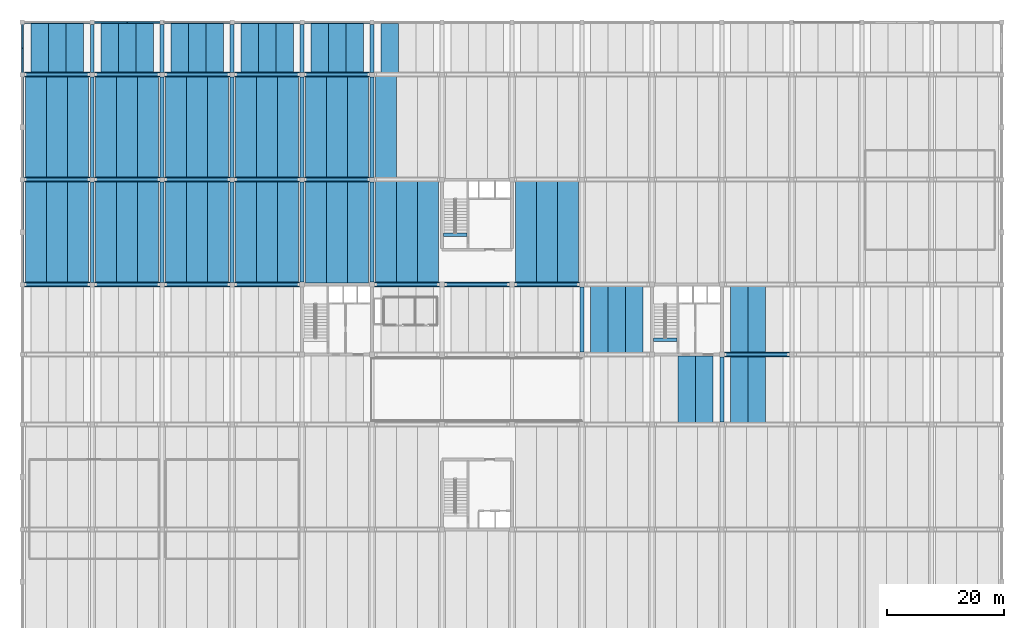
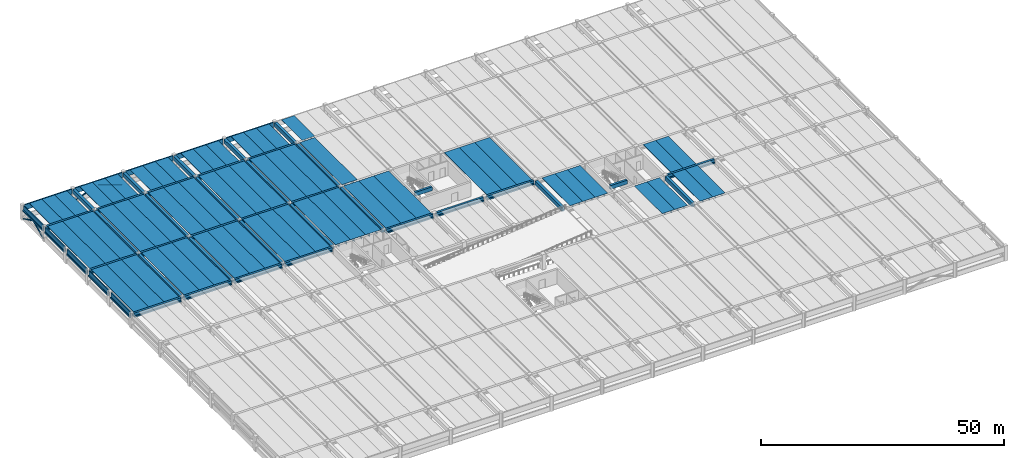
# One storey, part 4 of 21: 109 beams, 4 members.
"""IFC4 building model written with IfcOpenShell, lengths in metres."""

from ifc_helpers import new_model, si_unit, direction, frame, origin, origin_2d, place, context, subcontext, project, spatial, polyline, rectangle, hollow_rectangle, outline, extrude, material, material_profile, profile_set, type_object, element, save


model = new_model("IFC4")

# Units and contexts
model_context = context("Model", 3, precision=1e-05, world=origin(), true_north=direction((0.0, 1.0)))
body_context = subcontext(model_context, "Body", "Model", "MODEL_VIEW")
ifc_project = project(units=[si_unit("LENGTHUNIT", "METRE"), si_unit("AREAUNIT", "SQUARE_METRE"), si_unit("VOLUMEUNIT", "CUBIC_METRE"), si_unit("PLANEANGLEUNIT", "RADIAN"), si_unit("MASSUNIT", "GRAM", prefix="KILO")], contexts=[model_context])

# Site, building, storey
site_placement = place(None, origin())
site = spatial("IfcSite", under=ifc_project, at=site_placement, CompositionType="ELEMENT")
building_placement = place(site_placement, origin())
building = spatial("IfcBuilding", under=site, at=building_placement, Name="Girod Span Mobility Hub", CompositionType="ELEMENT")
storey_placement = place(building_placement, frame((0.0, 0.0, 17.199951171875)))
storey = spatial("IfcBuildingStorey", under=building, at=storey_placement, Name="L04", CompositionType="ELEMENT", Elevation=17.199951171875)

# Beams
ifc_material_1 = material(Name="Concrete C50/60", Category="concrete")
ifc_material_profile_1 = material_profile(ifc_material_1, outline(polyline([(-1.5, 0.300048828125), (-1.5, 0.2099609375), (-0.8349609375, 0.2099609375), (-0.8125, -0.300048828125), (-0.6875, -0.300048828125), (-0.6650390625, 0.2099609375), (0.6650390625, 0.2099609375), (0.6875, -0.300048828125), (0.8125, -0.300048828125), (0.8349609375, 0.2099609375), (1.5, 0.2099609375), (1.5, 0.300048828125), (-1.5, 0.300048828125)])), Name="DT-3000X600")
ifc_profile_set_1 = profile_set([ifc_material_profile_1], Name="Concrete C50/60")
beam_type_1 = type_object("IfcBeamType", Name="BM-DT-3000X600", PredefinedType="JOIST", material=ifc_profile_set_1)
for number, where, z_axis, x_axis, name in (
    (1, (3.0, 105.2470703125, 3.280029296875), (0.0, 1.0, 0.0), (-1.0, 0.0, 0.0), "Double-Tee Deck 1/H-1 L04"),
    (2, (6.0, 105.2470703125, 3.280029296875), (0.0, 1.0, 0.0), (-1.0, 0.0, 0.0), "Double-Tee Deck 1/H-2 L04"),
    (3, (9.0, 105.2470703125, 3.280029296875), (0.0, 1.0, 0.0), (-1.0, 0.0, 0.0), "Double-Tee Deck 1/H-3 L04"),
    (4, (15.0, 105.2470703125, 3.280029296875), (0.0, 1.0, 0.0), (-1.0, 0.0, 0.0), "Double-Tee Deck 2/H-1 L04"),
    (5, (18.0, 105.2470703125, 3.280029296875), (0.0, 1.0, 0.0), (-1.0, 0.0, 0.0), "Double-Tee Deck 2/H-2 L04"),
    (6, (21.0, 105.2470703125, 3.280029296875), (0.0, 1.0, 0.0), (-1.0, 0.0, 0.0), "Double-Tee Deck 2/H-3 L04"),
    (7, (27.0, 105.2470703125, 3.280029296875), (0.0, 1.0, 0.0), (-1.0, 0.0, 0.0), "Double-Tee Deck 3/H-1 L04"),
    (8, (30.0, 105.2470703125, 3.280029296875), (0.0, 1.0, 0.0), (-1.0, 0.0, 0.0), "Double-Tee Deck 3/H-2 L04"),
    (9, (33.0, 105.2470703125, 3.280029296875), (0.0, 1.0, 0.0), (-1.0, 0.0, 0.0), "Double-Tee Deck 3/H-3 L04"),
    (10, (39.0, 105.2470703125, 3.280029296875), (0.0, 1.0, 0.0), (-1.0, 0.0, 0.0), "Double-Tee Deck 4/H-1 L04"),
    (11, (42.0, 105.2470703125, 3.280029296875), (0.0, 1.0, 0.0), (-1.0, 0.0, 0.0), "Double-Tee Deck 4/H-2 L04"),
    (12, (45.0, 105.2470703125, 3.280029296875), (0.0, 1.0, 0.0), (-1.0, 0.0, 0.0), "Double-Tee Deck 4/H-3 L04"),
    (13, (51.0, 105.2470703125, 3.280029296875), (0.0, 1.0, 0.0), (-1.0, 0.0, 0.0), "Double-Tee Deck 5/H-1 L04"),
    (14, (54.0, 105.2470703125, 3.280029296875), (0.0, 1.0, 0.0), (-1.0, 0.0, 0.0), "Double-Tee Deck 5/H-2 L04"),
    (15, (57.0, 105.2470703125, 3.280029296875), (0.0, 1.0, 0.0), (-1.0, 0.0, 0.0), "Double-Tee Deck 5/H-3 L04"),
    (16, (63.0, 105.2470703125, 3.280029296875), (0.0, 1.0, 0.0), (-1.0, 0.0, 0.0), "Double-Tee Deck 6/H-1 L04"),
):
    element("IfcBeam", number, at=place(storey_placement, frame(where, z_axis=z_axis, x_axis=x_axis)), inside=storey, type_object=beam_type_1, Name=name, PredefinedType="JOIST", context=body_context, shape_type="SweptSolid", body=[
        extrude(outline(polyline([(-1.5, 0.300048828125), (-1.5, 0.2099609375), (-0.8349609375, 0.2099609375), (-0.8125, -0.300048828125), (-0.6875, -0.300048828125), (-0.6650390625, 0.2099609375), (0.6650390625, 0.2099609375), (0.6875, -0.300048828125), (0.8125, -0.300048828125), (0.8349609375, 0.2099609375), (1.5, 0.2099609375), (1.5, 0.300048828125), (-1.5, 0.300048828125)])), origin(), (0.0, 0.0, 1.0), 8.531005859375),
    ])
for number, where, z_axis, x_axis, name in (
    (17, (99.0, 57.2470703125, 3.340087890625), (0.0, 1.0, 0.0), (-1.0, 0.0, 0.0), "Double-Tee Deck 9/E-1 L04"),
    (18, (102.0, 57.2470703125, 3.340087890625), (0.0, 1.0, 0.0), (-1.0, 0.0, 0.0), "Double-Tee Deck 9/E-2 L04"),
    (19, (105.0, 57.2470703125, 3.340087890625), (0.0, 1.0, 0.0), (-1.0, 0.0, 0.0), "Double-Tee Deck 9/E-3 L04"),
    (20, (114.0, 45.2470703125, 3.340087890625), (0.0, 1.0, 0.0), (-1.0, 0.0, 0.0), "Double-Tee Deck 10/D-2 L04"),
    (21, (117.0, 45.2470703125, 3.340087890625), (0.0, 1.0, 0.0), (-1.0, 0.0, 0.0), "Double-Tee Deck 10/D-3 L04"),
    (22, (123.0, 45.2470703125, 3.340087890625), (0.0, 1.0, 0.0), (-1.0, 0.0, 0.0), "Double-Tee Deck 11/D-1 L04"),
    (23, (126.0, 45.2470703125, 3.340087890625), (0.0, 1.0, 0.0), (-1.0, 0.0, 0.0), "Double-Tee Deck 11/D-2 L04"),
    (24, (123.0, 57.2470703125, 3.340087890625), (0.0, 1.0, 0.0), (-1.0, 0.0, 0.0), "Double-Tee Deck 11/E-1 L04"),
    (25, (126.0, 57.2470703125, 3.340087890625), (0.0, 1.0, 0.0), (-1.0, 0.0, 0.0), "Double-Tee Deck 11/E-2 L04"),
):
    element("IfcBeam", number, at=place(storey_placement, frame(where, z_axis=z_axis, x_axis=x_axis)), inside=storey, type_object=beam_type_1, Name=name, PredefinedType="JOIST", context=body_context, shape_type="SweptSolid", body=[
        extrude(outline(polyline([(-1.5, 0.300048828125), (-1.5, 0.2099609375), (-0.8349609375, 0.2099609375), (-0.8125, -0.300048828125), (-0.6875, -0.300048828125), (-0.6650390625, 0.2099609375), (0.6650390625, 0.2099609375), (0.6875, -0.300048828125), (0.8125, -0.300048828125), (0.8349609375, 0.2099609375), (1.5, 0.2099609375), (1.5, 0.300048828125), (-1.5, 0.300048828125)])), origin(), (0.0, 0.0, 1.0), 11.505859375),
    ])
ifc_material_2 = material(Name="Concrete C50/60", Category="concrete")
ifc_material_profile_2 = material_profile(ifc_material_2, outline(polyline([(-1.800048828125, 0.425048828125), (-1.800048828125, 0.324951171875), (-1.0, 0.324951171875), (-0.969970703125, -0.425048828125), (-0.830078125, -0.425048828125), (-0.800048828125, 0.324951171875), (0.800048828125, 0.324951171875), (0.830078125, -0.425048828125), (0.969970703125, -0.425048828125), (1.0, 0.324951171875), (1.800048828125, 0.324951171875), (1.800048828125, 0.425048828125), (-1.800048828125, 0.425048828125)])), Name="DT-3600X850")
ifc_profile_set_2 = profile_set([ifc_material_profile_2], Name="Concrete C50/60")
beam_type_2 = type_object("IfcBeamType", Name="BM-DT-3600X850", PredefinedType="JOIST", material=ifc_profile_set_2)
for number, where, z_axis, x_axis, name in (
    (26, (2.39990234375, 69.2470703125, 3.155029296875), (0.0, 1.0, 0.0), (-1.0, 0.0, 0.0), "Double-Tee Deck 1/F-1 L04"),
    (27, (6.0, 69.2470703125, 3.155029296875), (0.0, 1.0, 0.0), (-1.0, 0.0, 0.0), "Double-Tee Deck 1/F-2 L04"),
    (28, (9.60009765625, 69.2470703125, 3.155029296875), (0.0, 1.0, 0.0), (-1.0, 0.0, 0.0), "Double-Tee Deck 1/F-3 L04"),
    (29, (2.39990234375, 87.2470703125, 3.155029296875), (0.0, 1.0, 0.0), (-1.0, 0.0, 0.0), "Double-Tee Deck 1/G-1 L04"),
    (30, (6.0, 87.2470703125, 3.155029296875), (0.0, 1.0, 0.0), (-1.0, 0.0, 0.0), "Double-Tee Deck 1/G-2 L04"),
    (31, (9.60009765625, 87.2470703125, 3.155029296875), (0.0, 1.0, 0.0), (-1.0, 0.0, 0.0), "Double-Tee Deck 1/G-3 L04"),
    (32, (14.39990234375, 69.2470703125, 3.215087890625), (0.0, 1.0, 0.0), (-1.0, 0.0, 0.0), "Double-Tee Deck 2/F-1 L04"),
    (33, (18.0, 69.2470703125, 3.215087890625), (0.0, 1.0, 0.0), (-1.0, 0.0, 0.0), "Double-Tee Deck 2/F-2 L04"),
    (34, (21.60009765625, 69.2470703125, 3.215087890625), (0.0, 1.0, 0.0), (-1.0, 0.0, 0.0), "Double-Tee Deck 2/F-3 L04"),
    (35, (14.39990234375, 87.2470703125, 3.215087890625), (0.0, 1.0, 0.0), (-1.0, 0.0, 0.0), "Double-Tee Deck 2/G-1 L04"),
    (36, (18.0, 87.2470703125, 3.215087890625), (0.0, 1.0, 0.0), (-1.0, 0.0, 0.0), "Double-Tee Deck 2/G-2 L04"),
    (37, (21.60009765625, 87.2470703125, 3.215087890625), (0.0, 1.0, 0.0), (-1.0, 0.0, 0.0), "Double-Tee Deck 2/G-3 L04"),
    (38, (26.39990234375, 69.2470703125, 3.215087890625), (0.0, 1.0, 0.0), (-1.0, 0.0, 0.0), "Double-Tee Deck 3/F-1 L04"),
    (39, (30.0, 69.2470703125, 3.215087890625), (0.0, 1.0, 0.0), (-1.0, 0.0, 0.0), "Double-Tee Deck 3/F-2 L04"),
    (40, (33.60009765625, 69.2470703125, 3.215087890625), (0.0, 1.0, 0.0), (-1.0, 0.0, 0.0), "Double-Tee Deck 3/F-3 L04"),
    (41, (26.39990234375, 87.2470703125, 3.215087890625), (0.0, 1.0, 0.0), (-1.0, 0.0, 0.0), "Double-Tee Deck 3/G-1 L04"),
    (42, (30.0, 87.2470703125, 3.215087890625), (0.0, 1.0, 0.0), (-1.0, 0.0, 0.0), "Double-Tee Deck 3/G-2 L04"),
    (43, (33.60009765625, 87.2470703125, 3.215087890625), (0.0, 1.0, 0.0), (-1.0, 0.0, 0.0), "Double-Tee Deck 3/G-3 L04"),
    (44, (38.39990234375, 69.2470703125, 3.215087890625), (0.0, 1.0, 0.0), (-1.0, 0.0, 0.0), "Double-Tee Deck 4/F-1 L04"),
    (45, (42.0, 69.2470703125, 3.215087890625), (0.0, 1.0, 0.0), (-1.0, 0.0, 0.0), "Double-Tee Deck 4/F-2 L04"),
    (46, (45.60009765625, 69.2470703125, 3.215087890625), (0.0, 1.0, 0.0), (-1.0, 0.0, 0.0), "Double-Tee Deck 4/F-3 L04"),
    (47, (38.39990234375, 87.2470703125, 3.215087890625), (0.0, 1.0, 0.0), (-1.0, 0.0, 0.0), "Double-Tee Deck 4/G-1 L04"),
    (48, (42.0, 87.2470703125, 3.215087890625), (0.0, 1.0, 0.0), (-1.0, 0.0, 0.0), "Double-Tee Deck 4/G-2 L04"),
    (49, (45.60009765625, 87.2470703125, 3.215087890625), (0.0, 1.0, 0.0), (-1.0, 0.0, 0.0), "Double-Tee Deck 4/G-3 L04"),
    (50, (50.39990234375, 69.2470703125, 3.215087890625), (0.0, 1.0, 0.0), (-1.0, 0.0, 0.0), "Double-Tee Deck 5/F-1 L04"),
    (51, (54.0, 69.2470703125, 3.215087890625), (0.0, 1.0, 0.0), (-1.0, 0.0, 0.0), "Double-Tee Deck 5/F-2 L04"),
    (52, (57.60009765625, 69.2470703125, 3.215087890625), (0.0, 1.0, 0.0), (-1.0, 0.0, 0.0), "Double-Tee Deck 5/F-3 L04"),
    (53, (50.39990234375, 87.2470703125, 3.215087890625), (0.0, 1.0, 0.0), (-1.0, 0.0, 0.0), "Double-Tee Deck 5/G-1 L04"),
    (54, (54.0, 87.2470703125, 3.215087890625), (0.0, 1.0, 0.0), (-1.0, 0.0, 0.0), "Double-Tee Deck 5/G-2 L04"),
    (55, (57.60009765625, 87.2470703125, 3.215087890625), (0.0, 1.0, 0.0), (-1.0, 0.0, 0.0), "Double-Tee Deck 5/G-3 L04"),
    (56, (62.39990234375, 69.2470703125, 3.215087890625), (0.0, 1.0, 0.0), (-1.0, 0.0, 0.0), "Double-Tee Deck 6/F-1 L04"),
    (57, (66.0, 69.2470703125, 3.215087890625), (0.0, 1.0, 0.0), (-1.0, 0.0, 0.0), "Double-Tee Deck 6/F-2 L04"),
    (58, (69.60009765625, 69.2470703125, 3.215087890625), (0.0, 1.0, 0.0), (-1.0, 0.0, 0.0), "Double-Tee Deck 6/F-3 L04"),
    (59, (62.39990234375, 87.2470703125, 3.215087890625), (0.0, 1.0, 0.0), (-1.0, 0.0, 0.0), "Double-Tee Deck 6/G-1 L04"),
    (60, (86.39990234375, 69.2470703125, 3.215087890625), (0.0, 1.0, 0.0), (-1.0, 0.0, 0.0), "Double-Tee Deck 8/F-1 L04"),
    (61, (90.0, 69.2470703125, 3.215087890625), (0.0, 1.0, 0.0), (-1.0, 0.0, 0.0), "Double-Tee Deck 8/F-2 L04"),
    (62, (93.60009765625, 69.2470703125, 3.215087890625), (0.0, 1.0, 0.0), (-1.0, 0.0, 0.0), "Double-Tee Deck 8/F-3 L04"),
):
    element("IfcBeam", number, at=place(storey_placement, frame(where, z_axis=z_axis, x_axis=x_axis)), inside=storey, type_object=beam_type_2, Name=name, PredefinedType="JOIST", context=body_context, shape_type="SweptSolid", body=[
        extrude(outline(polyline([(-1.800048828125, 0.425048828125), (-1.800048828125, 0.324951171875), (-1.0, 0.324951171875), (-0.969970703125, -0.425048828125), (-0.830078125, -0.425048828125), (-0.800048828125, 0.324951171875), (0.800048828125, 0.324951171875), (0.830078125, -0.425048828125), (0.969970703125, -0.425048828125), (1.0, 0.324951171875), (1.800048828125, 0.324951171875), (1.800048828125, 0.425048828125), (-1.800048828125, 0.425048828125)])), origin(), (0.0, 0.0, 1.0), 17.505859375),
    ])
ifc_material_3 = material(Name="Concrete C50/60", Category="concrete")
ifc_material_profile_3 = material_profile(ifc_material_3, outline(polyline([(-0.425048828125, -0.47509765625), (0.425048828125, -0.47509765625), (0.425048828125, -0.155029296875), (0.25, -0.155029296875), (0.25, 0.47509765625), (-0.25, 0.47509765625), (-0.25, -0.155029296875), (-0.425048828125, -0.155029296875), (-0.425048828125, -0.47509765625)])), Name="IT-850X950")
ifc_profile_set_3 = profile_set([ifc_material_profile_3], Name="Concrete C50/60")
beam_type_3 = type_object("IfcBeamType", Name="BM-IT-850X950", PredefinedType="T_BEAM", material=ifc_profile_set_3)
beam_1_placement = place(storey_placement, frame((120.422119140625, 57.0, 3.1650390625), z_axis=(1.0, 0.0, 0.0), x_axis=(0.0, 1.0, 0.0)))
element("IfcBeam", 63, at=beam_1_placement, inside=storey, type_object=beam_type_3, Name="Girder 11-12/E L04", PredefinedType="T_BEAM", context=body_context, shape_type="SweptSolid", body=[
    extrude(outline(polyline([(-0.425048828125, -0.47509765625), (0.425048828125, -0.47509765625), (0.425048828125, -0.155029296875), (0.25, -0.155029296875), (0.25, 0.47509765625), (-0.25, 0.47509765625), (-0.25, -0.155029296875), (-0.425048828125, -0.155029296875), (-0.425048828125, -0.47509765625)])), origin(), (0.0, 0.0, 1.0), 11.180908203125),
])
beam_2_placement = place(storey_placement, frame((0.3720703125, 69.0, 3.10498046875), z_axis=(1.0, 0.0, 0.0), x_axis=(0.0, 1.0, 0.0)))
element("IfcBeam", 64, at=beam_2_placement, inside=storey, type_object=beam_type_3, Name="Girder 1-2/F L04", PredefinedType="T_BEAM", context=body_context, shape_type="SweptSolid", body=[
    extrude(outline(polyline([(-0.425048828125, -0.47509765625), (0.425048828125, -0.47509765625), (0.425048828125, -0.155029296875), (0.25, -0.155029296875), (0.25, 0.47509765625), (-0.25, 0.47509765625), (-0.25, -0.155029296875), (-0.425048828125, -0.155029296875), (-0.425048828125, -0.47509765625)])), origin(), (0.0, 0.0, 1.0), 11.23095703125),
])
for number, where, z_axis, x_axis, name in (
    (65, (12.39697265625, 69.0, 3.1650390625), (1.0, 0.0, 0.0), (0.0, 1.0, 0.0), "Girder 2-3/F L04"),
    (66, (24.39697265625, 69.0, 3.1650390625), (1.0, 0.0, 0.0), (0.0, 1.0, 0.0), "Girder 3-4/F L04"),
):
    element("IfcBeam", number, at=place(storey_placement, frame(where, z_axis=z_axis, x_axis=x_axis)), inside=storey, type_object=beam_type_3, Name=name, PredefinedType="T_BEAM", context=body_context, shape_type="SweptSolid", body=[
        extrude(outline(polyline([(-0.425048828125, -0.47509765625), (0.425048828125, -0.47509765625), (0.425048828125, -0.155029296875), (0.25, -0.155029296875), (0.25, 0.47509765625), (-0.25, 0.47509765625), (-0.25, -0.155029296875), (-0.425048828125, -0.155029296875), (-0.425048828125, -0.47509765625)])), origin(), (0.0, 0.0, 1.0), 11.2060546875),
    ])
beam_3_placement = place(storey_placement, frame((36.39697265625, 69.0, 3.1650390625), z_axis=(1.0, 0.0, 0.0), x_axis=(0.0, 1.0, 0.0)))
element("IfcBeam", 67, at=beam_3_placement, inside=storey, type_object=beam_type_3, Name="Girder 4-5/F L04", PredefinedType="T_BEAM", context=body_context, shape_type="SweptSolid", body=[
    extrude(outline(polyline([(-0.425048828125, -0.47509765625), (0.425048828125, -0.47509765625), (0.425048828125, -0.155029296875), (0.25, -0.155029296875), (0.25, 0.47509765625), (-0.25, 0.47509765625), (-0.25, -0.155029296875), (-0.425048828125, -0.155029296875), (-0.425048828125, -0.47509765625)])), origin(), (0.0, 0.0, 1.0), 11.180908203125),
])
for number, where, z_axis, x_axis, name in (
    (68, (60.422119140625, 69.0, 3.1650390625), (1.0, 0.0, 0.0), (0.0, 1.0, 0.0), "Girder 6-7/F L04"),
    (69, (72.422119140625, 69.0, 3.1650390625), (1.0, 0.0, 0.0), (0.0, 1.0, 0.0), "Girder 7-8/F L04"),
    (70, (84.422119140625, 69.0, 3.1650390625), (1.0, 0.0, 0.0), (0.0, 1.0, 0.0), "Girder 8-9/F L04"),
):
    element("IfcBeam", number, at=place(storey_placement, frame(where, z_axis=z_axis, x_axis=x_axis)), inside=storey, type_object=beam_type_3, Name=name, PredefinedType="T_BEAM", context=body_context, shape_type="SweptSolid", body=[
        extrude(outline(polyline([(-0.425048828125, -0.47509765625), (0.425048828125, -0.47509765625), (0.425048828125, -0.155029296875), (0.25, -0.155029296875), (0.25, 0.47509765625), (-0.25, 0.47509765625), (-0.25, -0.155029296875), (-0.425048828125, -0.155029296875), (-0.425048828125, -0.47509765625)])), origin(), (0.0, 0.0, 1.0), 11.15576171875),
    ])
beam_4_placement = place(storey_placement, frame((0.3720703125, 87.0, 3.10498046875), z_axis=(1.0, 0.0, 0.0), x_axis=(0.0, 1.0, 0.0)))
element("IfcBeam", 71, at=beam_4_placement, inside=storey, type_object=beam_type_3, Name="Girder 1-2/G L04", PredefinedType="T_BEAM", context=body_context, shape_type="SweptSolid", body=[
    extrude(outline(polyline([(-0.425048828125, -0.47509765625), (0.425048828125, -0.47509765625), (0.425048828125, -0.155029296875), (0.25, -0.155029296875), (0.25, 0.47509765625), (-0.25, 0.47509765625), (-0.25, -0.155029296875), (-0.425048828125, -0.155029296875), (-0.425048828125, -0.47509765625)])), origin(), (0.0, 0.0, 1.0), 11.23095703125),
])
for number, where, z_axis, x_axis, name in (
    (72, (12.39697265625, 87.0, 3.1650390625), (1.0, 0.0, 0.0), (0.0, 1.0, 0.0), "Girder 2-3/G L04"),
    (73, (24.39697265625, 87.0, 3.1650390625), (1.0, 0.0, 0.0), (0.0, 1.0, 0.0), "Girder 3-4/G L04"),
    (74, (36.39697265625, 87.0, 3.1650390625), (1.0, 0.0, 0.0), (0.0, 1.0, 0.0), "Girder 4-5/G L04"),
    (75, (48.39697265625, 87.0, 3.1650390625), (1.0, 0.0, 0.0), (0.0, 1.0, 0.0), "Girder 5-6/G L04"),
):
    element("IfcBeam", number, at=place(storey_placement, frame(where, z_axis=z_axis, x_axis=x_axis)), inside=storey, type_object=beam_type_3, Name=name, PredefinedType="T_BEAM", context=body_context, shape_type="SweptSolid", body=[
        extrude(outline(polyline([(-0.425048828125, -0.47509765625), (0.425048828125, -0.47509765625), (0.425048828125, -0.155029296875), (0.25, -0.155029296875), (0.25, 0.47509765625), (-0.25, 0.47509765625), (-0.25, -0.155029296875), (-0.425048828125, -0.155029296875), (-0.425048828125, -0.47509765625)])), origin(), (0.0, 0.0, 1.0), 11.2060546875),
    ])
beam_5_placement = place(storey_placement, frame((0.3720703125, 105.0, 3.10498046875), z_axis=(1.0, 0.0, 0.0), x_axis=(0.0, 1.0, 0.0)))
element("IfcBeam", 76, at=beam_5_placement, inside=storey, type_object=beam_type_3, Name="Girder 1-2/H L04", PredefinedType="T_BEAM", context=body_context, shape_type="SweptSolid", body=[
    extrude(outline(polyline([(-0.425048828125, -0.47509765625), (0.425048828125, -0.47509765625), (0.425048828125, -0.155029296875), (0.25, -0.155029296875), (0.25, 0.47509765625), (-0.25, 0.47509765625), (-0.25, -0.155029296875), (-0.425048828125, -0.155029296875), (-0.425048828125, -0.47509765625)])), origin(), (0.0, 0.0, 1.0), 11.23095703125),
])
for number, where, z_axis, x_axis, name in (
    (77, (12.39697265625, 105.0, 3.1650390625), (1.0, 0.0, 0.0), (0.0, 1.0, 0.0), "Girder 2-3/H L04"),
    (78, (24.39697265625, 105.0, 3.1650390625), (1.0, 0.0, 0.0), (0.0, 1.0, 0.0), "Girder 3-4/H L04"),
    (79, (36.39697265625, 105.0, 3.1650390625), (1.0, 0.0, 0.0), (0.0, 1.0, 0.0), "Girder 4-5/H L04"),
    (80, (48.39697265625, 105.0, 3.1650390625), (1.0, 0.0, 0.0), (0.0, 1.0, 0.0), "Girder 5-6/H L04"),
):
    element("IfcBeam", number, at=place(storey_placement, frame(where, z_axis=z_axis, x_axis=x_axis)), inside=storey, type_object=beam_type_3, Name=name, PredefinedType="T_BEAM", context=body_context, shape_type="SweptSolid", body=[
        extrude(outline(polyline([(-0.425048828125, -0.47509765625), (0.425048828125, -0.47509765625), (0.425048828125, -0.155029296875), (0.25, -0.155029296875), (0.25, 0.47509765625), (-0.25, 0.47509765625), (-0.25, -0.155029296875), (-0.425048828125, -0.155029296875), (-0.425048828125, -0.47509765625)])), origin(), (0.0, 0.0, 1.0), 11.2060546875),
    ])
ifc_material_4 = material(Name="Concrete C40/50", Category="concrete")
ifc_material_profile_4 = material_profile(ifc_material_4, rectangle(XDim=0.550048828125, YDim=0.949951171875, at=origin_2d()), Name="RK-550X950")
ifc_profile_set_4 = profile_set([ifc_material_profile_4], Name="Concrete C40/50")
beam_type_4 = type_object("IfcBeamType", Name="BM-RK-550X950", PredefinedType="BEAM", material=ifc_profile_set_4)
beam_6_placement = place(storey_placement, frame((108.2470703125, 59.550048828125, 3.1650390625), z_axis=(1.0, 0.0, 0.0), x_axis=(0.0, 1.0, 0.0)))
element("IfcBeam", 81, at=beam_6_placement, inside=storey, type_object=beam_type_4, Name="Stair ST-2 Landing Header Beam L04", PredefinedType="BEAM", context=body_context, shape_type="SweptSolid", body=[
    extrude(rectangle(XDim=0.550048828125, YDim=0.949951171875, at=origin_2d()), origin(), (0.0, 0.0, 1.0), 4.055908203125),
])
beam_7_placement = place(storey_placement, frame((72.221923828125, 77.550048828125, 3.1650390625), z_axis=(1.0, 0.0, 0.0), x_axis=(0.0, 1.0, 0.0)))
element("IfcBeam", 82, at=beam_7_placement, inside=storey, type_object=beam_type_4, Name="Stair ST-4 Landing Header Beam L04", PredefinedType="BEAM", context=body_context, shape_type="SweptSolid", body=[
    extrude(rectangle(XDim=0.550048828125, YDim=0.949951171875, at=origin_2d()), origin(), (0.0, 0.0, 1.0), 4.0810546875),
])
ifc_material_5 = material(Name="Concrete C40/50", Category="concrete")
ifc_material_profile_5 = material_profile(ifc_material_5, outline(polyline([(-0.22509765625, -0.675048828125), (0.22509765625, -0.675048828125), (0.22509765625, -0.324951171875), (0.02490234375, -0.324951171875), (0.02490234375, 0.675048828125), (-0.22509765625, 0.675048828125), (-0.22509765625, -0.675048828125)])), Name="SP-450X1350")
ifc_profile_set_5 = profile_set([ifc_material_profile_5], Name="Concrete C40/50")
beam_type_5 = type_object("IfcBeamType", Name="BM-SP-450X1350", PredefinedType="SPANDREL", material=ifc_profile_set_5)
for number, where, z_axis, x_axis, name in (
    (83, (0.3720703125, 114.0, 2.905029296875), (1.0, 0.0, 0.0), (0.0, 1.0, 0.0), "Girder 1-2/J L04"),
    (84, (12.3720703125, 114.0, 2.905029296875), (1.0, 0.0, 0.0), (0.0, 1.0, 0.0), "Girder 2-3/J L04"),
    (85, (24.3720703125, 114.0, 2.905029296875), (1.0, 0.0, 0.0), (0.0, 1.0, 0.0), "Girder 3-4/J L04"),
    (86, (36.3720703125, 114.0, 2.905029296875), (1.0, 0.0, 0.0), (0.0, 1.0, 0.0), "Girder 4-5/J L04"),
    (87, (48.3720703125, 114.0, 2.905029296875), (1.0, 0.0, 0.0), (0.0, 1.0, 0.0), "Girder 5-6/J L04"),
):
    element("IfcBeam", number, at=place(storey_placement, frame(where, z_axis=z_axis, x_axis=x_axis)), inside=storey, type_object=beam_type_5, Name=name, PredefinedType="SPANDREL", context=body_context, shape_type="SweptSolid", body=[
        extrude(outline(polyline([(-0.22509765625, -0.675048828125), (0.22509765625, -0.675048828125), (0.22509765625, -0.324951171875), (0.02490234375, -0.324951171875), (0.02490234375, 0.675048828125), (-0.22509765625, 0.675048828125), (-0.22509765625, -0.675048828125)])), origin(), (0.0, 0.0, 1.0), 11.255859375),
    ])
for number, where, z_axis, x_axis, name in (
    (88, (0.0, 69.3720703125, 2.905029296875), (0.0, 1.0, 0.0), (-1.0, 0.0, 0.0), "Perimeter Spandrel 1/F-S L04"),
    (89, (0.0, 78.471923828125, 2.905029296875), (0.0, 1.0, 0.0), (-1.0, 0.0, 0.0), "Perimeter Spandrel 1/F-N L04"),
    (90, (0.0, 87.3720703125, 2.905029296875), (0.0, 1.0, 0.0), (-1.0, 0.0, 0.0), "Perimeter Spandrel 1/G-S L04"),
    (91, (0.0, 96.471923828125, 2.905029296875), (0.0, 1.0, 0.0), (-1.0, 0.0, 0.0), "Perimeter Spandrel 1/G-N L04"),
):
    element("IfcBeam", number, at=place(storey_placement, frame(where, z_axis=z_axis, x_axis=x_axis)), inside=storey, type_object=beam_type_5, Name=name, PredefinedType="SPANDREL", context=body_context, shape_type="SweptSolid", body=[
        extrude(outline(polyline([(-0.22509765625, -0.675048828125), (0.22509765625, -0.675048828125), (0.22509765625, -0.324951171875), (0.02490234375, -0.324951171875), (0.02490234375, 0.675048828125), (-0.22509765625, 0.675048828125), (-0.22509765625, -0.675048828125)])), origin(), (0.0, 0.0, 1.0), 8.156005859375),
    ])
beam_8_placement = place(storey_placement, frame((0.0, 105.3720703125, 2.905029296875), z_axis=(0.0, 1.0, 0.0), x_axis=(-1.0, 0.0, 0.0)))
element("IfcBeam", 92, at=beam_8_placement, inside=storey, type_object=beam_type_5, Name="Tie Girder 1/H-J L04", PredefinedType="SPANDREL", context=body_context, shape_type="SweptSolid", body=[
    extrude(outline(polyline([(-0.22509765625, -0.675048828125), (0.22509765625, -0.675048828125), (0.22509765625, -0.324951171875), (0.02490234375, -0.324951171875), (0.02490234375, 0.675048828125), (-0.22509765625, 0.675048828125), (-0.22509765625, -0.675048828125)])), origin(), (0.0, 0.0, 1.0), 8.255859375),
])
ifc_material_6 = material(Name="Concrete C40/50", Category="concrete")
ifc_material_profile_6 = material_profile(ifc_material_6, rectangle(XDim=0.64990234375, YDim=1.0, at=origin_2d()), Name="TG-650X1000")
ifc_profile_set_6 = profile_set([ifc_material_profile_6], Name="Concrete C40/50")
beam_type_6 = type_object("IfcBeamType", Name="BM-TG-650X1000", PredefinedType="T_BEAM", material=ifc_profile_set_6)
for number, where, z_axis, x_axis, name in (
    (93, (12.0, 69.39697265625, 3.14013671875), (0.0, 1.0, 0.0), (-1.0, 0.0, 0.0), "Tie Girder 2/F-G L04"),
    (94, (12.0, 87.39697265625, 3.14013671875), (0.0, 1.0, 0.0), (-1.0, 0.0, 0.0), "Tie Girder 2/G-H L04"),
):
    element("IfcBeam", number, at=place(storey_placement, frame(where, z_axis=z_axis, x_axis=x_axis)), inside=storey, type_object=beam_type_6, Name=name, PredefinedType="T_BEAM", context=body_context, shape_type="SweptSolid", body=[
        extrude(rectangle(XDim=0.64990234375, YDim=1.0, at=origin_2d()), origin(), (0.0, 0.0, 1.0), 17.2060546875),
    ])
beam_9_placement = place(storey_placement, frame((12.0, 105.39697265625, 3.080078125), z_axis=(0.0, 1.0, 0.0), x_axis=(-1.0, 0.0, 0.0)))
element("IfcBeam", 95, at=beam_9_placement, inside=storey, type_object=beam_type_6, Name="Tie Girder 2/H-J L04", PredefinedType="T_BEAM", context=body_context, shape_type="SweptSolid", body=[
    extrude(rectangle(XDim=0.64990234375, YDim=1.0, at=origin_2d()), origin(), (0.0, 0.0, 1.0), 8.23095703125),
])
for number, where, z_axis, x_axis, name in (
    (96, (24.0, 69.39697265625, 3.14013671875), (0.0, 1.0, 0.0), (-1.0, 0.0, 0.0), "Tie Girder 3/F-G L04"),
    (97, (24.0, 87.39697265625, 3.14013671875), (0.0, 1.0, 0.0), (-1.0, 0.0, 0.0), "Tie Girder 3/G-H L04"),
):
    element("IfcBeam", number, at=place(storey_placement, frame(where, z_axis=z_axis, x_axis=x_axis)), inside=storey, type_object=beam_type_6, Name=name, PredefinedType="T_BEAM", context=body_context, shape_type="SweptSolid", body=[
        extrude(rectangle(XDim=0.64990234375, YDim=1.0, at=origin_2d()), origin(), (0.0, 0.0, 1.0), 17.2060546875),
    ])
beam_10_placement = place(storey_placement, frame((24.0, 105.39697265625, 3.080078125), z_axis=(0.0, 1.0, 0.0), x_axis=(-1.0, 0.0, 0.0)))
element("IfcBeam", 98, at=beam_10_placement, inside=storey, type_object=beam_type_6, Name="Tie Girder 3/H-J L04", PredefinedType="T_BEAM", context=body_context, shape_type="SweptSolid", body=[
    extrude(rectangle(XDim=0.64990234375, YDim=1.0, at=origin_2d()), origin(), (0.0, 0.0, 1.0), 8.23095703125),
])
for number, where, z_axis, x_axis, name in (
    (99, (36.0, 69.39697265625, 3.14013671875), (0.0, 1.0, 0.0), (-1.0, 0.0, 0.0), "Tie Girder 4/F-G L04"),
    (100, (36.0, 87.39697265625, 3.14013671875), (0.0, 1.0, 0.0), (-1.0, 0.0, 0.0), "Tie Girder 4/G-H L04"),
):
    element("IfcBeam", number, at=place(storey_placement, frame(where, z_axis=z_axis, x_axis=x_axis)), inside=storey, type_object=beam_type_6, Name=name, PredefinedType="T_BEAM", context=body_context, shape_type="SweptSolid", body=[
        extrude(rectangle(XDim=0.64990234375, YDim=1.0, at=origin_2d()), origin(), (0.0, 0.0, 1.0), 17.2060546875),
    ])
beam_11_placement = place(storey_placement, frame((36.0, 105.39697265625, 3.080078125), z_axis=(0.0, 1.0, 0.0), x_axis=(-1.0, 0.0, 0.0)))
element("IfcBeam", 101, at=beam_11_placement, inside=storey, type_object=beam_type_6, Name="Tie Girder 4/H-J L04", PredefinedType="T_BEAM", context=body_context, shape_type="SweptSolid", body=[
    extrude(rectangle(XDim=0.64990234375, YDim=1.0, at=origin_2d()), origin(), (0.0, 0.0, 1.0), 8.23095703125),
])
beam_12_placement = place(storey_placement, frame((48.0, 69.422119140625, 3.14013671875), z_axis=(0.0, 1.0, 0.0), x_axis=(-1.0, 0.0, 0.0)))
element("IfcBeam", 102, at=beam_12_placement, inside=storey, type_object=beam_type_6, Name="Tie Girder 5/F-G L04", PredefinedType="T_BEAM", context=body_context, shape_type="SweptSolid", body=[
    extrude(rectangle(XDim=0.64990234375, YDim=1.0, at=origin_2d()), origin(), (0.0, 0.0, 1.0), 17.180908203125),
])
beam_13_placement = place(storey_placement, frame((48.0, 87.39697265625, 3.14013671875), z_axis=(0.0, 1.0, 0.0), x_axis=(-1.0, 0.0, 0.0)))
element("IfcBeam", 103, at=beam_13_placement, inside=storey, type_object=beam_type_6, Name="Tie Girder 5/G-H L04", PredefinedType="T_BEAM", context=body_context, shape_type="SweptSolid", body=[
    extrude(rectangle(XDim=0.64990234375, YDim=1.0, at=origin_2d()), origin(), (0.0, 0.0, 1.0), 17.2060546875),
])
beam_14_placement = place(storey_placement, frame((48.0, 105.39697265625, 3.080078125), z_axis=(0.0, 1.0, 0.0), x_axis=(-1.0, 0.0, 0.0)))
element("IfcBeam", 104, at=beam_14_placement, inside=storey, type_object=beam_type_6, Name="Tie Girder 5/H-J L04", PredefinedType="T_BEAM", context=body_context, shape_type="SweptSolid", body=[
    extrude(rectangle(XDim=0.64990234375, YDim=1.0, at=origin_2d()), origin(), (0.0, 0.0, 1.0), 8.23095703125),
])
beam_15_placement = place(storey_placement, frame((60.0, 69.422119140625, 3.14013671875), z_axis=(0.0, 1.0, 0.0), x_axis=(-1.0, 0.0, 0.0)))
element("IfcBeam", 105, at=beam_15_placement, inside=storey, type_object=beam_type_6, Name="Tie Girder 6/F-G L04", PredefinedType="T_BEAM", context=body_context, shape_type="SweptSolid", body=[
    extrude(rectangle(XDim=0.64990234375, YDim=1.0, at=origin_2d()), origin(), (0.0, 0.0, 1.0), 17.180908203125),
])
beam_16_placement = place(storey_placement, frame((60.0, 87.39697265625, 3.14013671875), z_axis=(0.0, 1.0, 0.0), x_axis=(-1.0, 0.0, 0.0)))
element("IfcBeam", 106, at=beam_16_placement, inside=storey, type_object=beam_type_6, Name="Tie Girder 6/G-H L04", PredefinedType="T_BEAM", context=body_context, shape_type="SweptSolid", body=[
    extrude(rectangle(XDim=0.64990234375, YDim=1.0, at=origin_2d()), origin(), (0.0, 0.0, 1.0), 17.2060546875),
])
beam_17_placement = place(storey_placement, frame((60.0, 105.39697265625, 3.080078125), z_axis=(0.0, 1.0, 0.0), x_axis=(-1.0, 0.0, 0.0)))
element("IfcBeam", 107, at=beam_17_placement, inside=storey, type_object=beam_type_6, Name="Tie Girder 6/H-J L04", PredefinedType="T_BEAM", context=body_context, shape_type="SweptSolid", body=[
    extrude(rectangle(XDim=0.64990234375, YDim=1.0, at=origin_2d()), origin(), (0.0, 0.0, 1.0), 8.23095703125),
])
for number, where, z_axis, x_axis, name in (
    (108, (96.0, 57.422119140625, 3.14013671875), (0.0, 1.0, 0.0), (-1.0, 0.0, 0.0), "Tie Girder 9/E-F L04"),
    (109, (120.0, 45.422119140625, 3.14013671875), (0.0, 1.0, 0.0), (-1.0, 0.0, 0.0), "Tie Girder 11/D-E L04"),
):
    element("IfcBeam", number, at=place(storey_placement, frame(where, z_axis=z_axis, x_axis=x_axis)), inside=storey, type_object=beam_type_6, Name=name, PredefinedType="T_BEAM", context=body_context, shape_type="SweptSolid", body=[
        extrude(rectangle(XDim=0.64990234375, YDim=1.0, at=origin_2d()), origin(), (0.0, 0.0, 1.0), 11.15576171875),
    ])

# Members
ifc_material_7 = material(Name="Steel HSS A500 Grade C", Category="steel")
ifc_material_profile_7 = material_profile(ifc_material_7, hollow_rectangle(XDim=0.25390625, YDim=0.25390625, WallThickness=0.01171875, InnerFilletRadius=0.01171875, OuterFilletRadius=0.023681640625, at=origin_2d()), Name="HSS254X254X12.7")
ifc_profile_set_7 = profile_set([ifc_material_profile_7], Name="Steel HSS A500 Grade C")
member_type = type_object("IfcMemberType", Name="MB-BR-HSS254", PredefinedType="BRACE", material=ifc_profile_set_7)
for number, where, z_axis, x_axis, name in (
    (110, (12.35498046875, 114.0, 0.35009765625), (0.944679642364, 0.0, 0.327994471451), (0.0, 1.0, 0.0), "Perimeter Chevron Brace 2/J-L L04"),
    (111, (23.64501953125, 114.0, 0.35009765625), (-0.944679642364, 0.0, 0.327994471451), (0.0, -1.0, 0.0), "Perimeter Chevron Brace 2/J-R L04"),
):
    element("IfcMember", number, at=place(storey_placement, frame(where, z_axis=z_axis, x_axis=x_axis)), inside=storey, type_object=member_type, Name=name, PredefinedType="BRACE", context=body_context, shape_type="SweptSolid", body=[
        extrude(hollow_rectangle(XDim=0.25390625, YDim=0.25390625, WallThickness=0.01171875, InnerFilletRadius=0.01171875, OuterFilletRadius=0.023681640625, at=origin_2d()), origin(), (0.0, 0.0, 1.0), 5.9755859375),
    ])
for number, where, z_axis, x_axis, name in (
    (112, (0.0, 105.35498046875, 0.35009765625), (0.0, 0.904030366527, 0.427468240221), (-1.0, 0.0, 0.0), "Side Chevron Brace 1/H-S L04"),
    (113, (0.0, 113.64501953125, 0.35009765625), (0.0, -0.904030366527, 0.427468240221), (1.0, 0.0, 0.0), "Side Chevron Brace 1/H-N L04"),
):
    element("IfcMember", number, at=place(storey_placement, frame(where, z_axis=z_axis, x_axis=x_axis)), inside=storey, type_object=member_type, Name=name, PredefinedType="BRACE", context=body_context, shape_type="SweptSolid", body=[
        extrude(hollow_rectangle(XDim=0.25390625, YDim=0.25390625, WallThickness=0.01171875, InnerFilletRadius=0.01171875, OuterFilletRadius=0.023681640625, at=origin_2d()), origin(), (0.0, 0.0, 1.0), 4.5849609375),
    ])

save(model, "model.ifc")
